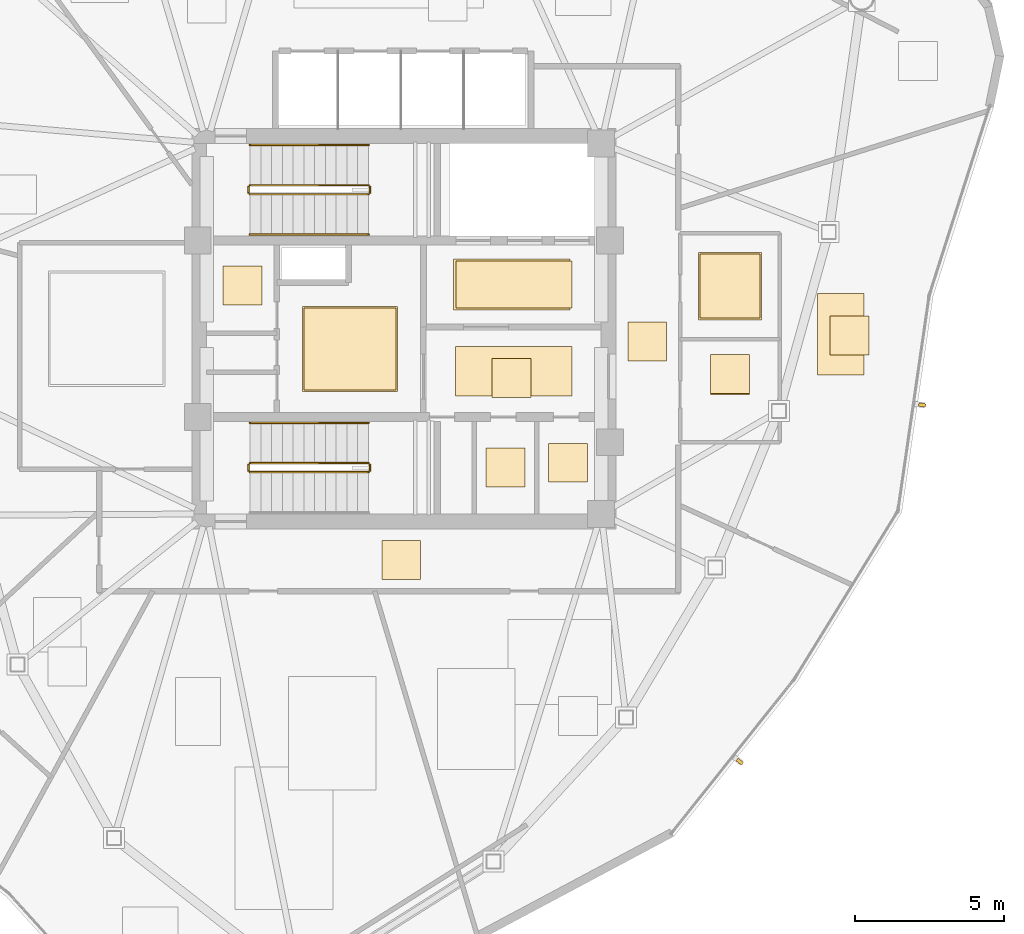
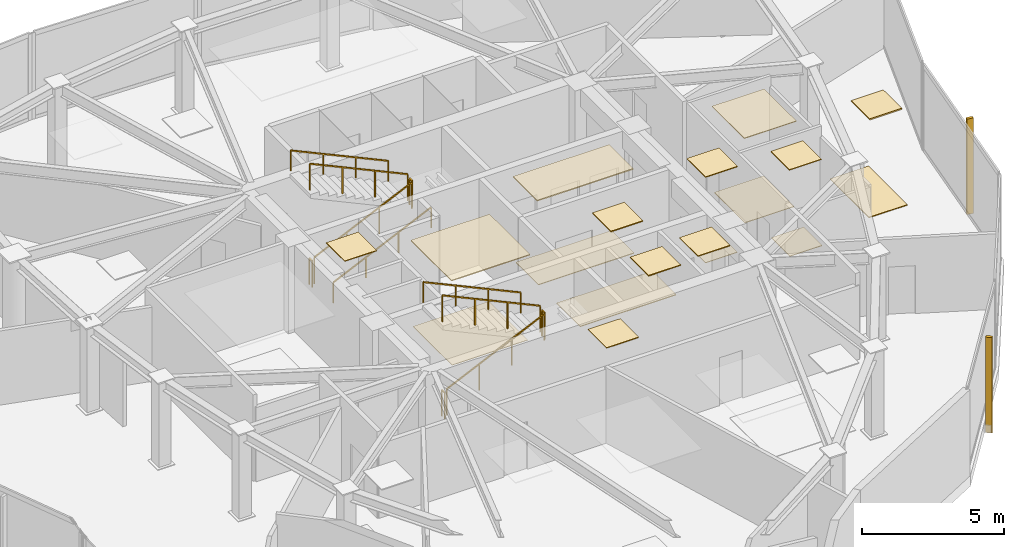
# One storey, part 13 of 14: 18 coverings, 11 railings, 2 shading devices.
"""IFC4 building model written with IfcOpenShell, lengths in metres."""

from ifc_helpers import new_model, si_unit, direction, frame, origin, origin_2d, place, context, subcontext, project, spatial, polyline, rectangle, outline, extrude, source, transform, mapped, material, layer, layer_set, type_object, type_shapes, element, save


model = new_model("IFC4")

# Units and contexts
model_context = context("Model", 3, precision=1e-05, world=origin(), true_north=direction((0.0, 1.0)))
body_context = subcontext(model_context, "Body", "Model", "MODEL_VIEW")
ifc_project = project(units=[si_unit("LENGTHUNIT", "METRE"), si_unit("AREAUNIT", "SQUARE_METRE"), si_unit("VOLUMEUNIT", "CUBIC_METRE"), si_unit("PLANEANGLEUNIT", "RADIAN"), si_unit("MASSUNIT", "GRAM", prefix="KILO")], contexts=[model_context])

# Site, building, storey
site_placement = place(None, origin())
site = spatial("IfcSite", under=ifc_project, at=site_placement, CompositionType="ELEMENT")
building_placement = place(site_placement, origin())
building = spatial("IfcBuilding", under=site, at=building_placement, Name="Tavelor Broadcast Tower", CompositionType="ELEMENT")
storey_placement = place(building_placement, frame((0.0, 0.0, 273.5)))
storey = spatial("IfcBuildingStorey", under=building, at=storey_placement, Name="L65", CompositionType="ELEMENT", Elevation=273.5)

# Coverings
ifc_material_1 = material(Name="Copper-Bronze Anodized Aluminium", Category="aluminium")
ifc_layer_1 = layer(ifc_material_1, 0.044921875)
ifc_layer_set_1 = layer_set([ifc_layer_1], Name="Copper-Bronze Anodized Aluminium")
covering_type_1 = type_object("IfcCoveringType", Name="Anodised Bronze Linear Slatted Concourse Ceiling 45 mm", PredefinedType="CEILING", material=ifc_layer_set_1)
covering_1_placement = place(storey_placement, frame((0.0, 0.0, 3.655029296875)))
element("IfcCovering", 1, at=covering_1_placement, inside=storey, type_object=covering_type_1, Name="L65 Suspended Acoustic Ceiling 2512", PredefinedType="CEILING", context=body_context, shape_type="SweptSolid", body=[
    extrude(outline(polyline([(51.659912109375, 45.6318359375), (55.55712890625, 45.6318359375), (55.55712890625, 47.328125), (51.659912109375, 47.328125), (51.659912109375, 45.6318359375)])), origin(), (0.0, 0.0, 1.0), 0.044921875),
])
covering_2_placement = place(storey_placement, frame((0.0, 0.0, 3.655029296875)))
element("IfcCovering", 2, at=covering_2_placement, inside=storey, type_object=covering_type_1, Name="L65 Suspended Acoustic Ceiling 2513", PredefinedType="CEILING", context=body_context, shape_type="SweptSolid", body=[
    extrude(outline(polyline([(52.95361328125, 42.705078125), (54.25341796875, 42.705078125), (54.25341796875, 44.0048828125), (52.95361328125, 44.0048828125), (52.95361328125, 42.705078125)])), origin(), (0.0, 0.0, 1.0), 0.044921875),
])

# Railings
ifc_material_2 = material(Name="Steel S355", Category="steel")
railing_type_1 = type_object("IfcRailingType", Name="Continuous Brushed Stainless Handrail 900 mm", PredefinedType="HANDRAIL", material=ifc_material_2)
railing_1_placement = place(storey_placement, frame((44.85009765625, 48.14990234375, 0.166748046875)))
element("IfcRailing", 3, at=railing_1_placement, inside=storey, type_object=railing_type_1, Name="L65 ST1 stair handrail 1", PredefinedType="HANDRAIL", context=body_context, shape_type="SweptSolid", body=[
    extrude(rectangle(XDim=0.048095703125, YDim=0.048095703125, at=origin_2d()), frame((0.0, 0.0, 0.8759765625), z_axis=(0.907472437036, 0.0, 0.420111623286), x_axis=(0.0, 1.0, 0.0)), (0.0, 0.0, 1.0), 4.36376953125),
    extrude(rectangle(XDim=0.0419921875, YDim=0.0419921875, at=origin_2d()), origin(), (0.0, 0.0, 1.0), 0.851806640625),
    extrude(rectangle(XDim=0.0419921875, YDim=0.0419921875, at=origin_2d()), frame((1.320068359375, 0.0, 0.611083984375)), (0.0, 0.0, 1.0), 0.851806640625),
    extrude(rectangle(XDim=0.0419921875, YDim=0.0419921875, at=origin_2d()), frame((2.639892578125, 0.0, 1.22216796875)), (0.0, 0.0, 1.0), 0.851806640625),
    extrude(rectangle(XDim=0.0419921875, YDim=0.0419921875, at=origin_2d()), frame((3.9599609375, 0.0, 1.833251953125)), (0.0, 0.0, 1.0), 0.851806640625),
])
for number, where, name in (
    (4, (48.81005859375, 51.14990234375, 2.166748046875), "L65 ST1 stair handrail 2"),
    (5, (48.81005859375, 41.85009765625, 2.166748046875), "L65 ST2 stair handrail 2"),
):
    element("IfcRailing", number, at=place(storey_placement, frame(where)), inside=storey, type_object=railing_type_1, Name=name, PredefinedType="HANDRAIL", context=body_context, shape_type="SweptSolid", body=[
        extrude(rectangle(XDim=0.048095703125, YDim=0.048095703125, at=origin_2d()), frame((0.0, 0.0, 0.8759765625), z_axis=(-0.907472437036, 0.0, 0.420111623286), x_axis=(0.0, -1.0, 0.0)), (0.0, 0.0, 1.0), 4.36376953125),
        extrude(rectangle(XDim=0.0419921875, YDim=0.0419921875, at=origin_2d()), origin(), (0.0, 0.0, 1.0), 0.851806640625),
        extrude(rectangle(XDim=0.0419921875, YDim=0.0419921875, at=origin_2d()), frame((-1.320068359375, 0.0, 0.611083984375)), (0.0, 0.0, 1.0), 0.851806640625),
        extrude(rectangle(XDim=0.0419921875, YDim=0.0419921875, at=origin_2d()), frame((-2.639892578125, 0.0, 1.22216796875)), (0.0, 0.0, 1.0), 0.851806640625),
        extrude(rectangle(XDim=0.0419921875, YDim=0.0419921875, at=origin_2d()), frame((-3.9599609375, 0.0, 1.833251953125)), (0.0, 0.0, 1.0), 0.851806640625),
    ])

# Coverings
ifc_material_3 = material(Name="Architectural Anodized Aluminium", Category="aluminium")
ifc_layer_2 = layer(ifc_material_3, 0.034912109375)
ifc_layer_set_2 = layer_set([ifc_layer_2], Name="Architectural Anodized Aluminium")
covering_type_2 = type_object("IfcCoveringType", Name="Demountable Metal Tile Corridor Ceiling 35 mm", PredefinedType="CEILING", material=ifc_layer_set_2)
covering_3_placement = place(storey_placement, frame((0.0, 0.0, 3.6650390625)))
element("IfcCovering", 6, at=covering_3_placement, inside=storey, type_object=covering_type_2, Name="L65 Suspended Acoustic Ceiling 2518", PredefinedType="CEILING", context=body_context, shape_type="SweptSolid", body=[
    extrude(outline(polyline([(57.489990234375, 43.925048828125), (58.7900390625, 43.925048828125), (58.7900390625, 45.22509765625), (57.489990234375, 45.22509765625), (57.489990234375, 43.925048828125)])), origin(), (0.0, 0.0, 1.0), 0.034912109375),
])
covering_4_placement = place(storey_placement, frame((0.0, 0.0, 3.6650390625)))
element("IfcCovering", 7, at=covering_4_placement, inside=storey, type_object=covering_type_2, Name="L65 Suspended Acoustic Ceiling 2519", PredefinedType="CEILING", context=body_context, shape_type="SweptSolid", body=[
    extrude(outline(polyline([(49.261474609375, 36.610107421875), (50.5615234375, 36.610107421875), (50.5615234375, 37.909912109375), (49.261474609375, 37.909912109375), (49.261474609375, 36.610107421875)])), origin(), (0.0, 0.0, 1.0), 0.034912109375),
])
ifc_material_4 = material(Name="Acoustic Nylon Carpet Tile")
ifc_layer_3 = layer(ifc_material_4, 0.02001953125)
ifc_layer_set_3 = layer_set([ifc_layer_3], Name="Acoustic Nylon Carpet Tile")
covering_type_3 = type_object("IfcCoveringType", Name="Heavy-Duty Acoustic Broadcast Carpet Tile 20 mm", PredefinedType="FLOORING", material=ifc_layer_set_3)
covering_5_placement = place(storey_placement, origin())
element("IfcCovering", 8, at=covering_5_placement, inside=storey, type_object=covering_type_3, Name="L65 Broadcast Floor Finish 0969", PredefinedType="FLOORING", context=body_context, shape_type="SweptSolid", body=[
    extrude(outline(polyline([(46.6591796875, 42.953369140625), (49.730712890625, 42.953369140625), (49.730712890625, 45.6865234375), (46.6591796875, 45.6865234375), (46.6591796875, 42.953369140625)])), origin(), (0.0, 0.0, 1.0), 0.02001953125),
])
covering_6_placement = place(storey_placement, origin())
element("IfcCovering", 9, at=covering_6_placement, inside=storey, type_object=covering_type_3, Name="L65 Broadcast Floor Finish 0970", PredefinedType="FLOORING", context=body_context, shape_type="SweptSolid", body=[
    extrude(outline(polyline([(57.489990234375, 43.925048828125), (58.7900390625, 43.925048828125), (58.7900390625, 45.22509765625), (57.489990234375, 45.22509765625), (57.489990234375, 43.925048828125)])), origin(), (0.0, 0.0, 1.0), 0.02001953125),
])
ifc_material_5 = material(Name="Honed Natural Limestone Tile", Category="masonry")
ifc_layer_4 = layer(ifc_material_5, 0.030029296875)
ifc_layer_set_4 = layer_set([ifc_layer_4], Name="Honed Natural Limestone Tile")
covering_type_4 = type_object("IfcCoveringType", Name="Honed Jerusalem Limestone Concourse Flooring 30 mm", PredefinedType="FLOORING", material=ifc_layer_set_4)
covering_7_placement = place(storey_placement, origin())
element("IfcCovering", 10, at=covering_7_placement, inside=storey, type_object=covering_type_4, Name="L65 Broadcast Floor Finish 0967", PredefinedType="FLOORING", context=body_context, shape_type="SweptSolid", body=[
    extrude(outline(polyline([(51.7373046875, 45.689453125), (55.62255859375, 45.689453125), (55.62255859375, 47.2705078125), (51.7373046875, 47.2705078125), (51.7373046875, 45.689453125)])), origin(), (0.0, 0.0, 1.0), 0.030029296875),
])
covering_8_placement = place(storey_placement, origin())
element("IfcCovering", 11, at=covering_8_placement, inside=storey, type_object=covering_type_4, Name="L65 Broadcast Floor Finish 0968", PredefinedType="FLOORING", context=body_context, shape_type="SweptSolid", body=[
    extrude(outline(polyline([(51.728759765625, 42.743408203125), (55.62109375, 42.743408203125), (55.62109375, 44.396484375), (51.728759765625, 44.396484375), (51.728759765625, 42.743408203125)])), origin(), (0.0, 0.0, 1.0), 0.030029296875),
])
ifc_material_6 = material(Name="Acoustic Hardwood Studio Flooring", Category="wood")
ifc_layer_5 = layer(ifc_material_6, 0.034912109375)
ifc_layer_set_5 = layer_set([ifc_layer_5], Name="Acoustic Hardwood Studio Flooring")
covering_type_5 = type_object("IfcCoveringType", Name="Isolated Studio Acoustic Elastomeric Floor Finish 35 mm", PredefinedType="FLOORING", material=ifc_layer_set_5)
covering_9_placement = place(storey_placement, origin())
element("IfcCovering", 12, at=covering_9_placement, inside=storey, type_object=covering_type_5, Name="L65 Broadcast Floor Finish 0974", PredefinedType="FLOORING", context=body_context, shape_type="SweptSolid", body=[
    extrude(outline(polyline([(63.838134765625, 43.44580078125), (65.395751953125, 43.44580078125), (65.395751953125, 46.173095703125), (63.838134765625, 46.173095703125), (63.838134765625, 43.44580078125)])), origin(), (0.0, 0.0, 1.0), 0.034912109375),
])
ifc_material_7 = material(Name="Acoustic Perforated Timber Baffle", Category="wood")
ifc_layer_6 = layer(ifc_material_7, 0.054931640625)
ifc_layer_set_6 = layer_set([ifc_layer_6], Name="Acoustic Perforated Timber Baffle")
covering_type_6 = type_object("IfcCoveringType", Name="Micro-Perforated Acoustic Baffle Studio Ceiling 55 mm", PredefinedType="CEILING", material=ifc_layer_set_6)
covering_10_placement = place(storey_placement, frame((0.0, 0.0, 3.64501953125)))
element("IfcCovering", 13, at=covering_10_placement, inside=storey, type_object=covering_type_6, Name="L65 Suspended Acoustic Ceiling 2523", PredefinedType="CEILING", context=body_context, shape_type="SweptSolid", body=[
    extrude(outline(polyline([(64.25830078125, 44.11767578125), (65.558349609375, 44.11767578125), (65.558349609375, 45.41748046875), (64.25830078125, 45.41748046875), (64.25830078125, 44.11767578125)])), origin(), (0.0, 0.0, 1.0), 0.054931640625),
])
ifc_layer_7 = layer(ifc_material_3, 0.030029296875)
ifc_layer_set_7 = layer_set([ifc_layer_7], Name="Architectural Anodized Aluminium")
covering_type_7 = type_object("IfcCoveringType", Name="Moisture-Resistant Washroom Ceiling 30 mm", PredefinedType="CEILING", material=ifc_layer_set_7)
covering_11_placement = place(storey_placement, frame((0.0, 0.0, 3.669921875)))
element("IfcCovering", 14, at=covering_11_placement, inside=storey, type_object=covering_type_7, Name="L65 Suspended Acoustic Ceiling 2516", PredefinedType="CEILING", context=body_context, shape_type="SweptSolid", body=[
    extrude(outline(polyline([(54.843505859375, 39.866455078125), (56.1435546875, 39.866455078125), (56.1435546875, 41.16650390625), (54.843505859375, 41.16650390625), (54.843505859375, 39.866455078125)])), origin(), (0.0, 0.0, 1.0), 0.030029296875),
])
covering_12_placement = place(storey_placement, frame((0.0, 0.0, 3.669921875)))
element("IfcCovering", 15, at=covering_12_placement, inside=storey, type_object=covering_type_7, Name="L65 Suspended Acoustic Ceiling 2517", PredefinedType="CEILING", context=body_context, shape_type="SweptSolid", body=[
    extrude(outline(polyline([(43.951416015625, 45.794921875), (45.25146484375, 45.794921875), (45.25146484375, 47.094970703125), (43.951416015625, 47.094970703125), (43.951416015625, 45.794921875)])), origin(), (0.0, 0.0, 1.0), 0.030029296875),
])
covering_13_placement = place(storey_placement, frame((0.0, 0.0, 3.669921875)))
element("IfcCovering", 16, at=covering_13_placement, inside=storey, type_object=covering_type_7, Name="L65 Suspended Acoustic Ceiling 2521", PredefinedType="CEILING", context=body_context, shape_type="SweptSolid", body=[
    extrude(outline(polyline([(60.260009765625, 42.831787109375), (61.56005859375, 42.831787109375), (61.56005859375, 44.131591796875), (60.260009765625, 44.131591796875), (60.260009765625, 42.831787109375)])), origin(), (0.0, 0.0, 1.0), 0.030029296875),
])
covering_14_placement = place(storey_placement, frame((0.0, 0.0, 3.669921875)))
element("IfcCovering", 17, at=covering_14_placement, inside=storey, type_object=covering_type_7, Name="L65 Suspended Acoustic Ceiling 2522", PredefinedType="CEILING", context=body_context, shape_type="SweptSolid", body=[
    extrude(outline(polyline([(59.85302734375, 45.29248046875), (61.967041015625, 45.29248046875), (61.967041015625, 47.5576171875), (59.85302734375, 47.5576171875), (59.85302734375, 45.29248046875)])), origin(), (0.0, 0.0, 1.0), 0.030029296875),
])
ifc_material_8 = material(Name="Slip-Resistant Porcelain Tile")
ifc_layer_8 = layer(ifc_material_8, 0.02490234375)
ifc_layer_set_8 = layer_set([ifc_layer_8], Name="Slip-Resistant Porcelain Tile")
covering_type_8 = type_object("IfcCoveringType", Name="Slip-Resistant Porcelain Wet-Area Floor Tile 25 mm", PredefinedType="FLOORING", material=ifc_layer_set_8)
covering_15_placement = place(storey_placement, origin())
element("IfcCovering", 18, at=covering_15_placement, inside=storey, type_object=covering_type_8, Name="L65 Broadcast Floor Finish 0972", PredefinedType="FLOORING", context=body_context, shape_type="SweptSolid", body=[
    extrude(outline(polyline([(60.260009765625, 42.791748046875), (61.56005859375, 42.791748046875), (61.56005859375, 44.091796875), (60.260009765625, 44.091796875), (60.260009765625, 42.791748046875)])), origin(), (0.0, 0.0, 1.0), 0.02490234375),
])
covering_16_placement = place(storey_placement, origin())
element("IfcCovering", 19, at=covering_16_placement, inside=storey, type_object=covering_type_8, Name="L65 Broadcast Floor Finish 0973", PredefinedType="FLOORING", context=body_context, shape_type="SweptSolid", body=[
    extrude(outline(polyline([(59.91064453125, 45.35009765625), (61.909423828125, 45.35009765625), (61.909423828125, 47.5), (59.91064453125, 47.5), (59.91064453125, 45.35009765625)])), origin(), (0.0, 0.0, 1.0), 0.02490234375),
])

# Railings
railing_type_2 = type_object("IfcRailingType", Name="Stairwell Steel Safety Guardrail 1150 mm", PredefinedType="GUARDRAIL", material=ifc_material_2)
railing_2_placement = place(storey_placement, frame((44.85009765625, 49.5, 0.166748046875)))
element("IfcRailing", 20, at=railing_2_placement, inside=storey, type_object=railing_type_2, Name="L65 ST1 stair guard 1", PredefinedType="GUARDRAIL", context=body_context, shape_type="SweptSolid", body=[
    extrude(rectangle(XDim=0.048095703125, YDim=0.048095703125, at=origin_2d()), frame((0.0, 0.0, 1.1259765625), z_axis=(0.907472437036, 0.0, 0.420111623286), x_axis=(0.0, 1.0, 0.0)), (0.0, 0.0, 1.0), 4.36376953125),
    extrude(rectangle(XDim=0.0419921875, YDim=0.0419921875, at=origin_2d()), origin(), (0.0, 0.0, 1.0), 1.101806640625),
    extrude(rectangle(XDim=0.0419921875, YDim=0.0419921875, at=origin_2d()), frame((1.320068359375, 0.0, 0.611083984375)), (0.0, 0.0, 1.0), 1.101806640625),
    extrude(rectangle(XDim=0.0419921875, YDim=0.0419921875, at=origin_2d()), frame((2.639892578125, 0.0, 1.22216796875)), (0.0, 0.0, 1.0), 1.101806640625),
    extrude(rectangle(XDim=0.0419921875, YDim=0.0419921875, at=origin_2d()), frame((3.9599609375, 0.0, 1.833251953125)), (0.0, 0.0, 1.0), 1.101806640625),
])
railing_3_placement = place(storey_placement, frame((48.860107421875, 49.550048828125, 2.0)))
element("IfcRailing", 21, at=railing_3_placement, inside=storey, type_object=railing_type_2, Name="L65 ST1 stair guard 2", PredefinedType="GUARDRAIL", context=body_context, shape_type="SweptSolid", body=[
    extrude(rectangle(XDim=0.048095703125, YDim=0.048095703125, at=origin_2d()), frame((0.0, 0.0, 1.1259765625), z_axis=(0.0, 1.0, 0.0), x_axis=(-1.0, 0.0, 0.0)), (0.0, 0.0, 1.0), 0.199951171875),
    extrude(rectangle(XDim=0.0419921875, YDim=0.0419921875, at=origin_2d()), origin(), (0.0, 0.0, 1.0), 1.101806640625),
    extrude(rectangle(XDim=0.0419921875, YDim=0.0419921875, at=origin_2d()), frame((0.0, 0.199951171875, 0.0)), (0.0, 0.0, 1.0), 1.101806640625),
])
railing_4_placement = place(storey_placement, frame((48.81005859375, 49.800048828125, 2.166748046875)))
element("IfcRailing", 22, at=railing_4_placement, inside=storey, type_object=railing_type_2, Name="L65 ST1 stair guard 3", PredefinedType="GUARDRAIL", context=body_context, shape_type="SweptSolid", body=[
    extrude(rectangle(XDim=0.048095703125, YDim=0.048095703125, at=origin_2d()), frame((0.0, 0.0, 1.1259765625), z_axis=(-0.907472437036, 0.0, 0.420111623286), x_axis=(0.0, -1.0, 0.0)), (0.0, 0.0, 1.0), 4.36376953125),
    extrude(rectangle(XDim=0.0419921875, YDim=0.0419921875, at=origin_2d()), origin(), (0.0, 0.0, 1.0), 1.101806640625),
    extrude(rectangle(XDim=0.0419921875, YDim=0.0419921875, at=origin_2d()), frame((-1.320068359375, 0.0, 0.611083984375)), (0.0, 0.0, 1.0), 1.101806640625),
    extrude(rectangle(XDim=0.0419921875, YDim=0.0419921875, at=origin_2d()), frame((-2.639892578125, 0.0, 1.22216796875)), (0.0, 0.0, 1.0), 1.101806640625),
    extrude(rectangle(XDim=0.0419921875, YDim=0.0419921875, at=origin_2d()), frame((-3.9599609375, 0.0, 1.833251953125)), (0.0, 0.0, 1.0), 1.101806640625),
])
railing_5_placement = place(storey_placement, frame((44.800048828125, 49.550048828125, 0.0)))
element("IfcRailing", 23, at=railing_5_placement, inside=storey, type_object=railing_type_2, Name="L65 ST1 stair guard 4", PredefinedType="GUARDRAIL", context=body_context, shape_type="SweptSolid", body=[
    extrude(rectangle(XDim=0.048095703125, YDim=0.048095703125, at=origin_2d()), frame((0.0, 0.0, 1.1259765625), z_axis=(0.0, 1.0, 0.0), x_axis=(-1.0, 0.0, 0.0)), (0.0, 0.0, 1.0), 0.199951171875),
    extrude(rectangle(XDim=0.0419921875, YDim=0.0419921875, at=origin_2d()), origin(), (0.0, 0.0, 1.0), 1.101806640625),
    extrude(rectangle(XDim=0.0419921875, YDim=0.0419921875, at=origin_2d()), frame((0.0, 0.199951171875, 0.0)), (0.0, 0.0, 1.0), 1.101806640625),
])
railing_6_placement = place(storey_placement, frame((44.85009765625, 40.199951171875, 0.166748046875)))
element("IfcRailing", 24, at=railing_6_placement, inside=storey, type_object=railing_type_2, Name="L65 ST2 stair guard 1", PredefinedType="GUARDRAIL", context=body_context, shape_type="SweptSolid", body=[
    extrude(rectangle(XDim=0.048095703125, YDim=0.048095703125, at=origin_2d()), frame((0.0, 0.0, 1.1259765625), z_axis=(0.907472437036, 0.0, 0.420111623286), x_axis=(0.0, 1.0, 0.0)), (0.0, 0.0, 1.0), 4.36376953125),
    extrude(rectangle(XDim=0.0419921875, YDim=0.0419921875, at=origin_2d()), origin(), (0.0, 0.0, 1.0), 1.101806640625),
    extrude(rectangle(XDim=0.0419921875, YDim=0.0419921875, at=origin_2d()), frame((1.320068359375, 0.0, 0.611083984375)), (0.0, 0.0, 1.0), 1.101806640625),
    extrude(rectangle(XDim=0.0419921875, YDim=0.0419921875, at=origin_2d()), frame((2.639892578125, 0.0, 1.22216796875)), (0.0, 0.0, 1.0), 1.101806640625),
    extrude(rectangle(XDim=0.0419921875, YDim=0.0419921875, at=origin_2d()), frame((3.9599609375, 0.0, 1.833251953125)), (0.0, 0.0, 1.0), 1.101806640625),
])
railing_7_placement = place(storey_placement, frame((48.860107421875, 40.25, 2.0)))
element("IfcRailing", 25, at=railing_7_placement, inside=storey, type_object=railing_type_2, Name="L65 ST2 stair guard 2", PredefinedType="GUARDRAIL", context=body_context, shape_type="SweptSolid", body=[
    extrude(rectangle(XDim=0.048095703125, YDim=0.048095703125, at=origin_2d()), frame((0.0, 0.0, 1.1259765625), z_axis=(0.0, 1.0, 0.0), x_axis=(-1.0, 0.0, 0.0)), (0.0, 0.0, 1.0), 0.199951171875),
    extrude(rectangle(XDim=0.0419921875, YDim=0.0419921875, at=origin_2d()), origin(), (0.0, 0.0, 1.0), 1.101806640625),
    extrude(rectangle(XDim=0.0419921875, YDim=0.0419921875, at=origin_2d()), frame((0.0, 0.199951171875, 0.0)), (0.0, 0.0, 1.0), 1.101806640625),
])
railing_8_placement = place(storey_placement, frame((48.81005859375, 40.5, 2.166748046875)))
element("IfcRailing", 26, at=railing_8_placement, inside=storey, type_object=railing_type_2, Name="L65 ST2 stair guard 3", PredefinedType="GUARDRAIL", context=body_context, shape_type="SweptSolid", body=[
    extrude(rectangle(XDim=0.048095703125, YDim=0.048095703125, at=origin_2d()), frame((0.0, 0.0, 1.1259765625), z_axis=(-0.907472437036, 0.0, 0.420111623286), x_axis=(0.0, -1.0, 0.0)), (0.0, 0.0, 1.0), 4.36376953125),
    extrude(rectangle(XDim=0.0419921875, YDim=0.0419921875, at=origin_2d()), origin(), (0.0, 0.0, 1.0), 1.101806640625),
    extrude(rectangle(XDim=0.0419921875, YDim=0.0419921875, at=origin_2d()), frame((-1.320068359375, 0.0, 0.611083984375)), (0.0, 0.0, 1.0), 1.101806640625),
    extrude(rectangle(XDim=0.0419921875, YDim=0.0419921875, at=origin_2d()), frame((-2.639892578125, 0.0, 1.22216796875)), (0.0, 0.0, 1.0), 1.101806640625),
    extrude(rectangle(XDim=0.0419921875, YDim=0.0419921875, at=origin_2d()), frame((-3.9599609375, 0.0, 1.833251953125)), (0.0, 0.0, 1.0), 1.101806640625),
])
railing_9_placement = place(storey_placement, frame((44.800048828125, 40.25, 0.0)))
element("IfcRailing", 27, at=railing_9_placement, inside=storey, type_object=railing_type_2, Name="L65 ST2 stair guard 4", PredefinedType="GUARDRAIL", context=body_context, shape_type="SweptSolid", body=[
    extrude(rectangle(XDim=0.048095703125, YDim=0.048095703125, at=origin_2d()), frame((0.0, 0.0, 1.1259765625), z_axis=(0.0, 1.0, 0.0), x_axis=(-1.0, 0.0, 0.0)), (0.0, 0.0, 1.0), 0.199951171875),
    extrude(rectangle(XDim=0.0419921875, YDim=0.0419921875, at=origin_2d()), origin(), (0.0, 0.0, 1.0), 1.101806640625),
    extrude(rectangle(XDim=0.0419921875, YDim=0.0419921875, at=origin_2d()), frame((0.0, 0.199951171875, 0.0)), (0.0, 0.0, 1.0), 1.101806640625),
])

# Coverings
ifc_material_9 = material(Name="Acoustic Mineral Fibre Tile")
ifc_layer_9 = layer(ifc_material_9, 0.0400390625)
ifc_layer_set_9 = layer_set([ifc_layer_9], Name="Acoustic Mineral Fibre Tile")
covering_type_9 = type_object("IfcCoveringType", Name="Suspended Acoustic Mineral-Fibre Office Ceiling 40 mm", PredefinedType="CEILING", material=ifc_layer_set_9)
covering_17_placement = place(storey_placement, frame((0.0, 0.0, 3.659912109375)))
element("IfcCovering", 28, at=covering_17_placement, inside=storey, type_object=covering_type_9, Name="L65 Suspended Acoustic Ceiling 2514", PredefinedType="CEILING", context=body_context, shape_type="SweptSolid", body=[
    extrude(outline(polyline([(46.6015625, 42.895751953125), (49.788330078125, 42.895751953125), (49.788330078125, 45.744140625), (46.6015625, 45.744140625), (46.6015625, 42.895751953125)])), origin(), (0.0, 0.0, 1.0), 0.0400390625),
])
covering_18_placement = place(storey_placement, frame((0.0, 0.0, 3.659912109375)))
element("IfcCovering", 29, at=covering_18_placement, inside=storey, type_object=covering_type_9, Name="L65 Suspended Acoustic Ceiling 2515", PredefinedType="CEILING", context=body_context, shape_type="SweptSolid", body=[
    extrude(outline(polyline([(52.75, 39.699951171875), (54.050048828125, 39.699951171875), (54.050048828125, 41.0), (52.75, 41.0), (52.75, 39.699951171875)])), origin(), (0.0, 0.0, 1.0), 0.0400390625),
])

# Shading devices
ifc_material_10 = material(Name="Kiln-Fired Glazed Terracotta", Category="masonry")
shading_device_type = type_object("IfcShadingDeviceType", Name="Extruded Terracotta Baguette Sun-Screen 110x240", PredefinedType="JALOUSIE", material=ifc_material_10)
shared_shape = source(origin(), body_context, "Body", "SweptSolid", [
    extrude(rectangle(XDim=0.110107421875, YDim=0.239990234375, at=origin_2d()), origin(), (0.0, 0.0, 1.0), 4.090087890625),
])
type_shapes(shading_device_type, [shared_shape])
for number, where, z_axis, x_axis, name in (
    (30, (61.2392578125, 30.5126953125, -0.41015625), (0.0, 0.0, 1.0), (0.623606756598, 0.781738199863, 0.0), "L65 Terracotta Baguette Fin 663"),
    (31, (67.34375, 42.447509765625, -0.41015625), (0.0, 0.0, 1.0), (0.143665346556, 0.989626327559, 0.0), "L65 Terracotta Baguette Fin 664"),
):
    element("IfcShadingDevice", number, at=place(storey_placement, frame(where, z_axis=z_axis, x_axis=x_axis)), inside=storey, type_object=shading_device_type, Name=name, PredefinedType="JALOUSIE", context=body_context, shape_type="MappedRepresentation", body=[
        mapped(shared_shape, transform((0.0, 0.0, 0.0), scale=1.0)),
    ])

save(model, "model.ifc")
